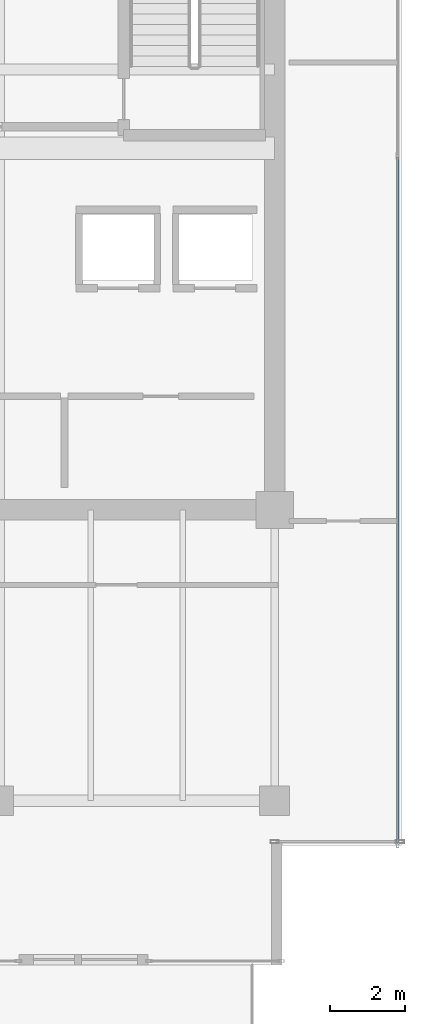
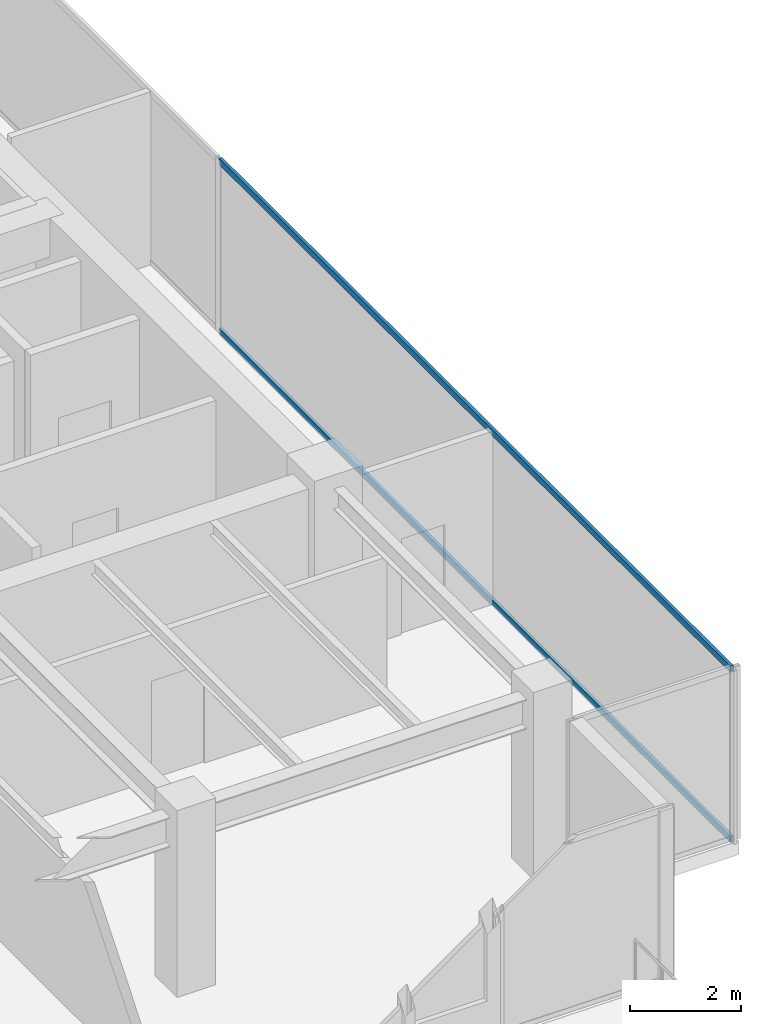
# One storey, part 23 of 34: 2 members, 1 element without a shape of its own.
"""IFC4 building model written with IfcOpenShell, lengths in metres."""

from ifc_helpers import new_model, si_unit, direction, frame, origin, origin_2d, place, context, subcontext, project, spatial, hollow_rectangle, extrude, source, transform, mapped, material, layer, layer_set, material_profile, profile_set, type_object, type_shapes, element, aggregate, save


model = new_model("IFC4")

# Units and contexts
model_context = context("Model", 3, precision=1e-05, world=origin(), true_north=direction((0.0, 1.0)))
body_context = subcontext(model_context, "Body", "Model", "MODEL_VIEW")
ifc_project = project(units=[si_unit("LENGTHUNIT", "METRE"), si_unit("AREAUNIT", "SQUARE_METRE"), si_unit("VOLUMEUNIT", "CUBIC_METRE"), si_unit("PLANEANGLEUNIT", "RADIAN"), si_unit("MASSUNIT", "GRAM", prefix="KILO")], contexts=[model_context])

# Site, building, storey
site_placement = place(None, origin())
site = spatial("IfcSite", under=ifc_project, at=site_placement, CompositionType="ELEMENT")
building_placement = place(site_placement, origin())
building = spatial("IfcBuilding", under=site, at=building_placement, Name="Haelvirn Gate Laboratories", CompositionType="ELEMENT")
storey_placement = place(building_placement, frame((0.0, 0.0, 205.5)))
storey = spatial("IfcBuildingStorey", under=building, at=storey_placement, Name="L49", CompositionType="ELEMENT", Elevation=205.5)

# Curtain wall, members
ifc_material_1 = material(Name="Anodised bronze unitised aluminium & triple low-E glass", Category="aluminium")
ifc_layer = layer(ifc_material_1, 0.176025390625, Name="CW-SYS-4")
ifc_layer_set = layer_set([ifc_layer], Name="Anodised bronze unitised aluminium & triple low-E glass")
curtain_wall_type = type_object("IfcCurtainWallType", Name="CW-SYS-4", PredefinedType="NOTDEFINED", material=ifc_layer_set)
curtain_wall_placement = place(storey_placement, origin())
curtain_wall = element("IfcCurtainWall", 1, at=curtain_wall_placement, inside=storey, type_object=curtain_wall_type, Name="L49 Unitised Curtain Wall CW-L49-P0-E07", PredefinedType="NOTDEFINED")
ifc_material_2 = material(Name="Extruded aluminium 6063-T6 (anodised bronze)", Category="aluminium")
ifc_material_profile = material_profile(ifc_material_2, hollow_rectangle(XDim=0.06494140625, YDim=0.139892578125, WallThickness=0.00390625, at=origin_2d()), Name="CWT-140x65x4")
ifc_profile_set = profile_set([ifc_material_profile], Name="Extruded aluminium 6063-T6 (anodised bronze)")
member_type = type_object("IfcMemberType", Name="CWT-T140", PredefinedType="USERDEFINED", material=ifc_profile_set)
shared_shape = source(origin(), body_context, "Body", "SweptSolid", [
    extrude(hollow_rectangle(XDim=0.06494140625, YDim=0.139892578125, WallThickness=0.00390625, at=origin_2d()), origin(), (0.0, 0.0, 1.0), 18.394775390625),
])
type_shapes(member_type, [shared_shape])
member_1_placement = place(storey_placement, frame((70.699951171875, 5.8701171875, 0.032470703125), z_axis=(0.0, 1.0, 0.0), x_axis=(-1.0, 0.0, 0.0)))
member_1 = element("IfcMember", 2, at=member_1_placement, type_object=member_type, Name="CW4 transom 1.1", ObjectType="TRANSOM", PredefinedType="USERDEFINED", context=body_context, shape_type="MappedRepresentation", body=[
    mapped(shared_shape, transform((0.0, 0.0, 0.0), scale=1.0)),
])
member_2_placement = place(storey_placement, frame((70.699951171875, 5.8701171875, 3.767578125), z_axis=(0.0, 1.0, 0.0), x_axis=(-1.0, 0.0, 0.0)))
member_2 = element("IfcMember", 3, at=member_2_placement, type_object=member_type, Name="CW4 transom 1.2", ObjectType="TRANSOM", PredefinedType="USERDEFINED", context=body_context, shape_type="MappedRepresentation", body=[
    mapped(shared_shape, transform((0.0, 0.0, 0.0), scale=1.0)),
])
aggregate(curtain_wall, [member_1, member_2])

save(model, "model.ifc")
